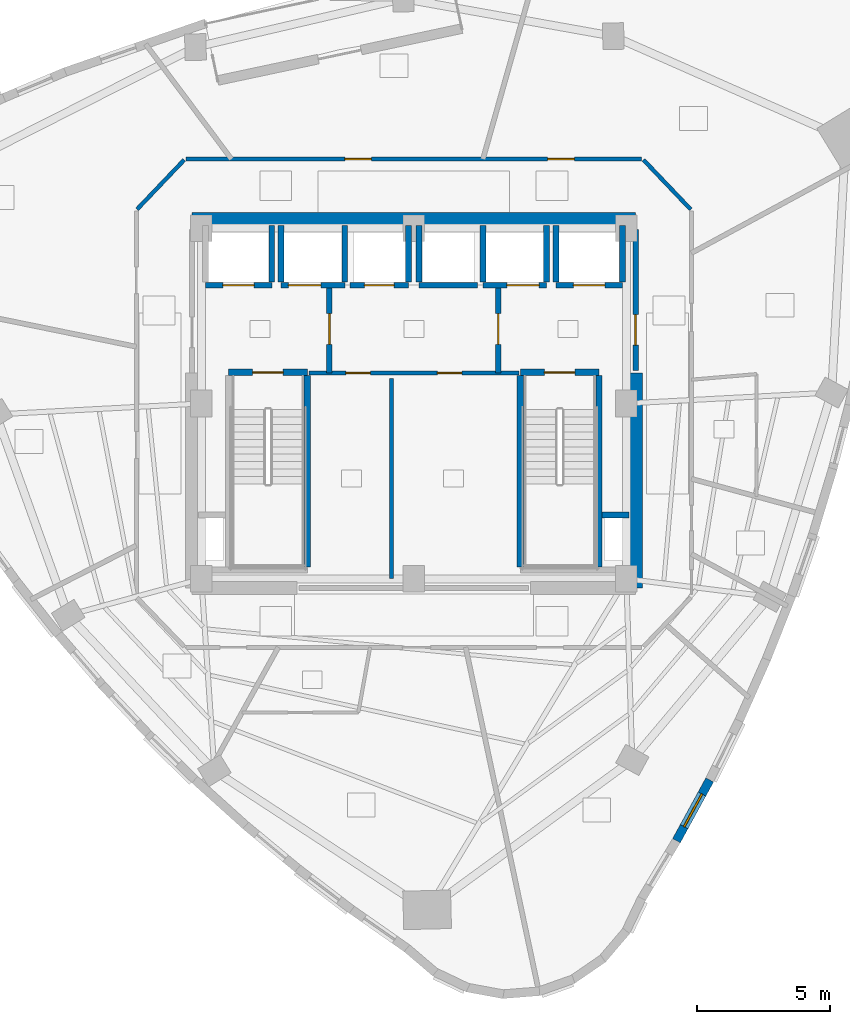
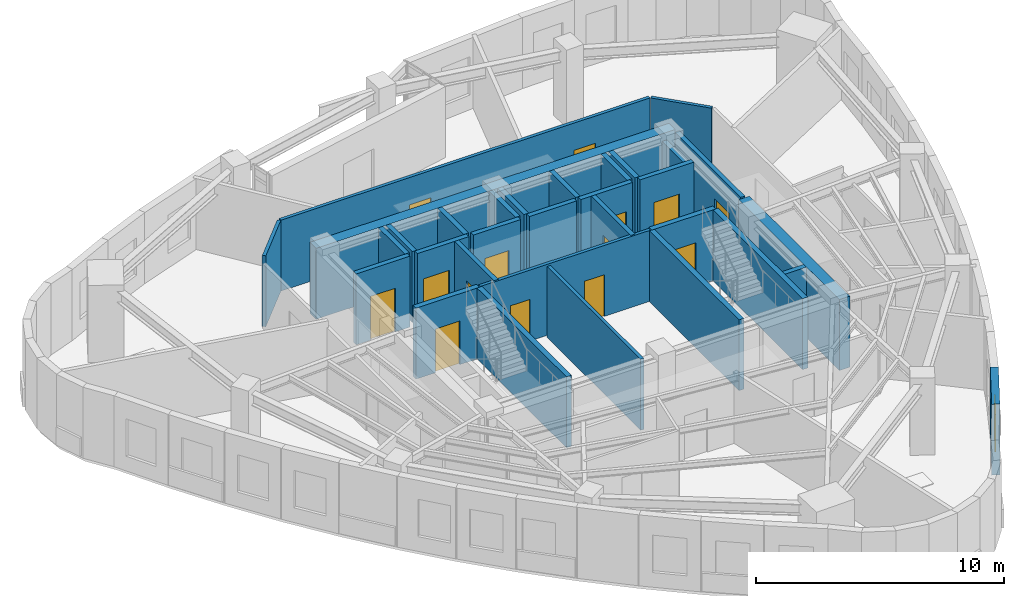
# One storey, part 5 of 10: 32 walls, 14 doors, 1 window, 15 openings.
"""IFC4 building model written with IfcOpenShell, lengths in metres."""

import ifcopenshell
import ifcopenshell.guid

model = None  # the IFC model being written
_history = None  # IfcOwnerHistory: only IFC2X3 demands one
_inside = {}  # id of a spatial element -> (the spatial element, [elements in it])
_under = {}  # id of a project, library or spatial element -> (it, [spatial elements below it])
_declared = {}  # id of a project -> (the project, [libraries it declares])
_typed = {}  # id of a type object -> (the type object, [elements of that type])
_made_of = {}  # id of a material, layer set ... -> (it, [elements and type objects made of it])


def new_model(schema):
    """Start an empty IFC model of exactly this schema.

    Asked for "IFC4X3", IfcOpenShell would pick the latest addendum, in which some entities
    have other attributes; the version numbers below select the first issue.
    IFC2X3 requires an IfcOwnerHistory on every rooted entity: one is made here for all.
    """
    global model, _history
    if schema == "IFC4X3":
        model = ifcopenshell.file(schema_version=(4, 3, 0, 0))
    else:
        model = ifcopenshell.file(schema=schema)
    _inside.clear()
    _under.clear()
    _declared.clear()
    _typed.clear()
    _made_of.clear()
    _history = None
    if model.schema == "IFC2X3":
        org = make("IfcOrganization", Name="unknown")
        user = make(
            "IfcPersonAndOrganization",
            ThePerson=make("IfcPerson", FamilyName="unknown"),
            TheOrganization=org,
        )
        app = make(
            "IfcApplication",
            ApplicationDeveloper=org,
            Version="unknown",
            ApplicationFullName="unknown",
            ApplicationIdentifier="unknown",
        )
        _history = make(
            "IfcOwnerHistory",
            OwningUser=user,
            OwningApplication=app,
            ChangeAction="ADDED",
            CreationDate=0,
        )
    return model


def make(cls, **values):
    """One entity of the class cls with the attributes given. An attribute that is None is left unset."""
    return model.create_entity(
        cls, **{name: value for name, value in values.items() if value is not None}
    )


def rooted(cls, **values):
    """An entity with a GlobalId (a new one), such as an element, a storey or a relation."""
    return make(cls, GlobalId=ifcopenshell.guid.new(), OwnerHistory=_history, **values)


def si_unit(unit_type, name, prefix=None):
    """IfcSIUnit, for example si_unit("LENGTHUNIT", "METRE", prefix="MILLI")."""
    return make("IfcSIUnit", UnitType=unit_type, Prefix=prefix, Name=name)


def assignment(units):
    """IfcUnitAssignment: the units of a project."""
    return None if units is None else make("IfcUnitAssignment", Units=units)


def point(xyz):
    """IfcCartesianPoint."""
    return None if xyz is None else make("IfcCartesianPoint", Coordinates=xyz)


def direction(xyz):
    """IfcDirection."""
    return None if xyz is None else make("IfcDirection", DirectionRatios=xyz)


def frame(location, z_axis=None, x_axis=None):
    """IfcAxis2Placement3D, a coordinate frame: its origin and axes. An axis left out is left unset."""
    return make(
        "IfcAxis2Placement3D",
        Location=point(location),
        Axis=direction(z_axis),
        RefDirection=direction(x_axis),
    )


def frame_2d(location, x_axis=None):
    """IfcAxis2Placement2D, a coordinate frame in the plane: its origin and x axis."""
    return make(
        "IfcAxis2Placement2D", Location=point(location), RefDirection=direction(x_axis)
    )


def origin():
    """The frame at (0, 0, 0) with its axes left unset."""
    return frame((0.0, 0.0, 0.0))


def place(relative_to, where):
    """IfcLocalPlacement: puts the frame where relative to a parent placement (None: the world)."""
    return make(
        "IfcLocalPlacement", PlacementRelTo=relative_to, RelativePlacement=where
    )


def context(
    kind, dimensions, precision=None, world=None, true_north=None, identifier=None
):
    """IfcGeometricRepresentationContext, for example the 3D "Model" context."""
    return make(
        "IfcGeometricRepresentationContext",
        ContextIdentifier=identifier,
        ContextType=kind,
        CoordinateSpaceDimension=dimensions,
        Precision=precision,
        WorldCoordinateSystem=world,
        TrueNorth=true_north,
    )


def subcontext(parent, identifier, kind, view, scale=None):
    """IfcGeometricRepresentationSubContext, for example "Body" below "Model"."""
    return make(
        "IfcGeometricRepresentationSubContext",
        ContextIdentifier=identifier,
        ContextType=kind,
        ParentContext=parent,
        TargetScale=scale,
        TargetView=view,
    )


def project(units=None, contexts=None):
    """IfcProject with its units and contexts."""
    return rooted(
        "IfcProject",
        Name="project",
        RepresentationContexts=contexts,
        UnitsInContext=assignment(units),
    )


def spatial(cls, under=None, at=None, **own):
    """A site, building, storey or space (cls), placed at a placement, below another one or the project."""
    s = rooted(cls, ObjectPlacement=at, **own)
    if under is not None:
        _under.setdefault(under.id(), (under, []))[1].append(s)
    return s


def profile(cls, at=None, kind="AREA", **sizes):
    """A parametric profile (cls). Its sizes go by their IFC names, for example OverallWidth=200.0."""
    return make(cls, ProfileType=kind, Position=at, **sizes)


def rectangle(**sizes):
    """IfcRectangleProfileDef."""
    return profile("IfcRectangleProfileDef", **sizes)


def extrude(swept, where, along, depth):
    """IfcExtrudedAreaSolid: the profile swept, set in the frame where, extruded along a direction by depth."""
    return make(
        "IfcExtrudedAreaSolid",
        SweptArea=swept,
        Position=where,
        ExtrudedDirection=direction(along),
        Depth=depth,
    )


def shape(context_of_items, identifier, shape_type, items):
    """IfcShapeRepresentation: the items that make up one representation, for example the "Body"."""
    return make(
        "IfcShapeRepresentation",
        ContextOfItems=context_of_items,
        RepresentationIdentifier=identifier,
        RepresentationType=shape_type,
        Items=items,
    )


def material(Name=None, Category=None):
    """IfcMaterial."""
    return make("IfcMaterial", Name=Name, Category=Category)


def layer(
    of_material, thickness, ventilated=None, Name=None, Category=None, Priority=None
):
    """IfcMaterialLayer: one layer of a wall or slab, of a material (None: an air gap)."""
    return make(
        "IfcMaterialLayer",
        Material=of_material,
        LayerThickness=thickness,
        IsVentilated=ventilated,
        Name=Name,
        Category=Category,
        Priority=Priority,
    )


def layer_set(layers, Name=None):
    """IfcMaterialLayerSet."""
    return make("IfcMaterialLayerSet", MaterialLayers=layers, LayerSetName=Name)


def made_of(thing, what):
    """Note that an element or type object is made of a material, layer set ...; save() writes the relation."""
    if what is not None:
        _made_of.setdefault(what.id(), (what, []))[1].append(thing)
    return thing


def type_object(cls, material=None, **own):
    """A type object (cls), such as IfcWallType, which elements share."""
    return made_of(rooted(cls, **own), material)


def element(
    cls,
    number,
    at=None,
    inside=None,
    cuts=None,
    type_object=None,
    material=None,
    context=None,
    identifier="Body",
    shape_type=None,
    held_by="IfcProductDefinitionShape",
    body=None,
    shapes=None,
    **own,
):
    """One element of the class cls, such as IfcWall. Its Tag is "e" and its number.

    at: its placement. inside: the storey or other place that contains it. cuts: it is an
    opening in that element (IfcRelVoidsElement). A single representation is given by context,
    identifier, shape_type and body (its items); several are given by shapes. held_by: the class
    of the entity that holds the representations. save() writes the other relations.
    """
    e = rooted(cls, Tag="e%d" % number, ObjectPlacement=at, **own)
    if body is not None:
        shapes = [shape(context, identifier, shape_type, body)]
    if shapes is not None:
        e.Representation = make(held_by, Representations=shapes)
    if inside is not None:
        _inside.setdefault(inside.id(), (inside, []))[1].append(e)
    if cuts is not None:
        rooted(
            "IfcRelVoidsElement", RelatingBuildingElement=cuts, RelatedOpeningElement=e
        )
    if type_object is not None:
        _typed.setdefault(type_object.id(), (type_object, []))[1].append(e)
    return made_of(e, material)


def fill(opening, filler):
    """IfcRelFillsElement: the door or window that sits in an opening."""
    return rooted(
        "IfcRelFillsElement",
        RelatingOpeningElement=opening,
        RelatedBuildingElement=filler,
    )


def aggregate(whole, parts):
    """IfcRelAggregates: a whole, such as a stair, and the parts it consists of."""
    return rooted("IfcRelAggregates", RelatingObject=whole, RelatedObjects=parts)


def save(model, path):
    """Write the relations noted so far, then the file.

    IfcRelAggregates (storeys below a building ...), IfcRelContainedInSpatialStructure (elements
    in a storey), IfcRelDefinesByType, IfcRelAssociatesMaterial and IfcRelDeclares: one each for
    every whole, place, type object, material and project.
    """
    for whole, parts in _under.values():
        aggregate(whole, parts)
    for where, things in _inside.values():
        rooted(
            "IfcRelContainedInSpatialStructure",
            RelatedElements=things,
            RelatingStructure=where,
        )
    for kind, things in _typed.values():
        rooted("IfcRelDefinesByType", RelatedObjects=things, RelatingType=kind)
    for what, things in _made_of.values():
        rooted("IfcRelAssociatesMaterial", RelatedObjects=things, RelatingMaterial=what)
    for by, libraries in _declared.values():
        rooted("IfcRelDeclares", RelatingContext=by, RelatedDefinitions=libraries)
    model.write(path)


model = new_model("IFC4")

# Units and contexts
model_context = context("Model", 3, precision=1e-05, world=origin(), true_north=direction((0.0, 1.0)))
body_context = subcontext(model_context, "Body", "Model", "MODEL_VIEW")
ifc_project = project(units=[si_unit("LENGTHUNIT", "METRE"), si_unit("AREAUNIT", "SQUARE_METRE"), si_unit("VOLUMEUNIT", "CUBIC_METRE"), si_unit("PLANEANGLEUNIT", "RADIAN"), si_unit("MASSUNIT", "GRAM", prefix="KILO")], contexts=[model_context])

# Site, building, storey
site_placement = place(None, origin())
site = spatial("IfcSite", under=ifc_project, at=site_placement, CompositionType="ELEMENT")
building_placement = place(site_placement, origin())
building = spatial("IfcBuilding", under=site, at=building_placement, Name="Ndelora Gate Hotel", CompositionType="ELEMENT")
storey_placement = place(building_placement, frame((0.0, 0.0, 251.14990234375)))
storey = spatial("IfcBuildingStorey", under=building, at=storey_placement, Name="L63", CompositionType="ELEMENT", Elevation=251.14990234375)

# Wall, opening, window
ifc_material_1 = material(Name="Clay Brick Masonry", Category="masonry")
ifc_layer_1 = layer(ifc_material_1, 0.330078125)
ifc_layer_set_1 = layer_set([ifc_layer_1], Name="Clay Brick Masonry")
wall_type_1 = type_object("IfcWallType", Name="WL-BRICK-330", PredefinedType="SOLIDWALL", material=ifc_layer_set_1)
wall_1_placement = place(storey_placement, frame((11.1396484375, -14.173583984375, 0.0), z_axis=(0.0, 0.0, 1.0), x_axis=(-0.480129576196, -0.877197577551, 0.0)))
wall_1 = element("IfcWall", 1, at=wall_1_placement, inside=storey, type_object=wall_type_1, Name="L63 Tower Brick Pier-and-Spandrel Wall TWR-30", PredefinedType="SOLIDWALL", context=body_context, shape_type="SweptSolid", body=[
    extrude(rectangle(XDim=2.610107421875, YDim=0.330078125, at=frame_2d((1.30517578125, 0.0))), origin(), (0.0, 0.0, 1.0), 3.489990234375),
])
opening_1_placement = place(wall_1_placement, frame((0.60498046875, 0.0, 0.719970703125)))
opening_1 = element("IfcOpeningElement", 2, at=opening_1_placement, cuts=wall_1, Name="Opening W02", PredefinedType="OPENING", context=body_context, shape_type="SweptSolid", body=[
    extrude(rectangle(XDim=1.39990234375, YDim=1.840087890625, at=frame_2d((0.699951171875, 0.919921875))), frame((0.0, 0.175048828125, 0.0), z_axis=(0.0, -1.0, 0.0), x_axis=(1.0, 0.0, 0.0)), (0.0, 0.0, 1.0), 0.35009765625),
])
ifc_material_2 = material(Name="Insulated Low-E Double Glazing in Bronze Aluminium Frame", Category="aluminium")
window_type = type_object("IfcWindowType", Name="WN-DEEP-1400", PartitioningType="SINGLE_PANEL", PredefinedType="WINDOW", material=ifc_material_2)
window_placement = place(opening_1_placement, origin())
window = element("IfcWindow", 3, at=window_placement, inside=storey, type_object=window_type, Name="L63 Deep-Set Brick-Pier Window W02", OverallHeight=1.840087890625, OverallWidth=1.39990234375, PartitioningType="SINGLE_PANEL", PredefinedType="WINDOW", context=body_context, shape_type="SweptSolid", body=[
    extrude(rectangle(XDim=1.39990234375, YDim=1.840087890625, at=frame_2d((0.699951171875, 0.919921875))), frame((0.0, 0.030029296875, 0.0), z_axis=(0.0, -1.0, 0.0), x_axis=(1.0, 0.0, 0.0)), (0.0, 0.0, 1.0), 0.06005859375),
])
fill(opening_1, window)

# Walls
ifc_material_3 = material(Name="Concrete C50/60", Category="concrete")
ifc_layer_2 = layer(ifc_material_3, 0.5)
ifc_layer_set_2 = layer_set([ifc_layer_2], Name="Concrete C50/60")
wall_type_2 = type_object("IfcWallType", Name="WL-CORE-500", PredefinedType="SHEAR", material=ifc_layer_set_2)
wall_2_placement = place(storey_placement, frame((-8.35009765625, 6.949951171875, 0.0), z_axis=(0.0, 0.0, 1.0), x_axis=(1.0, 0.0, 0.0)))
element("IfcWall", 4, at=wall_2_placement, inside=storey, type_object=wall_type_2, Name="L63 Core Shear Wall N", PredefinedType="SHEAR", context=body_context, shape_type="SweptSolid", body=[
    extrude(rectangle(XDim=16.7001953125, YDim=0.5, at=frame_2d((8.35009765625, 0.0))), origin(), (0.0, 0.0, 1.0), 3.489990234375),
])
wall_3_placement = place(storey_placement, frame((8.35009765625, -6.949951171875, 0.0), z_axis=(0.0, 0.0, 1.0), x_axis=(0.0, 1.0, 0.0)))
element("IfcWall", 5, at=wall_3_placement, inside=storey, type_object=wall_type_2, Name="L63 Core Shear Wall E", PredefinedType="SHEAR", context=body_context, shape_type="SweptSolid", body=[
    extrude(rectangle(XDim=8.099853515625, YDim=0.5, at=frame_2d((4.0498046875, 0.0))), origin(), (0.0, 0.0, 1.0), 3.489990234375),
])

# Wall, opening, door
ifc_material_4 = material(Name="Concrete C40/50", Category="concrete")
ifc_layer_3 = layer(ifc_material_4, 0.199951171875)
ifc_layer_set_3 = layer_set([ifc_layer_3], Name="Concrete C40/50")
wall_type_3 = type_object("IfcWallType", Name="WL-FIRE-200", PredefinedType="PARTITIONING", material=ifc_layer_set_3)
wall_4_placement = place(storey_placement, frame((-3.179931640625, 1.14990234375, 0.0), z_axis=(0.0, 0.0, 1.0), x_axis=(0.0, 1.0, 0.0)))
wall_4 = element("IfcWall", 6, at=wall_4_placement, inside=storey, type_object=wall_type_3, Name="L63 Interior Wall IW-2", PredefinedType="PARTITIONING", context=body_context, shape_type="SweptSolid", body=[
    extrude(rectangle(XDim=3.300048828125, YDim=0.199951171875, at=frame_2d((1.64990234375, 0.0))), origin(), (0.0, 0.0, 1.0), 3.489990234375),
])
opening_2_placement = place(wall_4_placement, frame((1.080078125, 0.0, 0.0)))
opening_2 = element("IfcOpeningElement", 7, at=opening_2_placement, cuts=wall_4, Name="Opening FD1", PredefinedType="OPENING", context=body_context, shape_type="SweptSolid", body=[
    extrude(rectangle(XDim=1.14990234375, YDim=2.14990234375, at=frame_2d((0.574951171875, 1.074951171875))), frame((0.0, 0.10986328125, 0.0), z_axis=(0.0, -1.0, 0.0), x_axis=(1.0, 0.0, 0.0)), (0.0, 0.0, 1.0), 0.219970703125),
])
ifc_material_5 = material(Name="Fire-Rated Timber-Veneer Steel Core", Category="steel")
door_type_1 = type_object("IfcDoorType", Name="DR-FD60", OperationType="SINGLE_SWING_LEFT", PredefinedType="DOOR", material=ifc_material_5)
door_1_placement = place(opening_2_placement, origin())
door_1 = element("IfcDoor", 8, at=door_1_placement, inside=storey, type_object=door_type_1, Name="L63 Firefighting Lobby West Door", OperationType="SINGLE_SWING_RIGHT", OverallHeight=2.14990234375, OverallWidth=1.14990234375, PredefinedType="DOOR", context=body_context, shape_type="SweptSolid", body=[
    extrude(rectangle(XDim=1.14990234375, YDim=2.14990234375, at=frame_2d((0.574951171875, 1.074951171875))), frame((0.0, 0.02490234375, 0.0), z_axis=(0.0, -1.0, 0.0), x_axis=(1.0, 0.0, 0.0)), (0.0, 0.0, 1.0), 0.050048828125),
])
fill(opening_2, door_1)

wall_5_placement = place(storey_placement, frame((3.179931640625, 1.14990234375, 0.0), z_axis=(0.0, 0.0, 1.0), x_axis=(0.0, 1.0, 0.0)))
wall_5 = element("IfcWall", 9, at=wall_5_placement, inside=storey, type_object=wall_type_3, Name="L63 Interior Wall IW-2", PredefinedType="PARTITIONING", context=body_context, shape_type="SweptSolid", body=[
    extrude(rectangle(XDim=3.300048828125, YDim=0.199951171875, at=frame_2d((1.64990234375, 0.0))), origin(), (0.0, 0.0, 1.0), 3.489990234375),
])
opening_3_placement = place(wall_5_placement, frame((1.080078125, 0.0, 0.0)))
opening_3 = element("IfcOpeningElement", 10, at=opening_3_placement, cuts=wall_5, Name="Opening FD1", PredefinedType="OPENING", context=body_context, shape_type="SweptSolid", body=[
    extrude(rectangle(XDim=1.14990234375, YDim=2.14990234375, at=frame_2d((0.574951171875, 1.074951171875))), frame((0.0, 0.10986328125, 0.0), z_axis=(0.0, -1.0, 0.0), x_axis=(1.0, 0.0, 0.0)), (0.0, 0.0, 1.0), 0.219970703125),
])
door_2_placement = place(opening_3_placement, origin())
door_2 = element("IfcDoor", 11, at=door_2_placement, inside=storey, type_object=door_type_1, Name="L63 Firefighting Lobby East Door", OperationType="SINGLE_SWING_LEFT", OverallHeight=2.14990234375, OverallWidth=1.14990234375, PredefinedType="DOOR", context=body_context, shape_type="SweptSolid", body=[
    extrude(rectangle(XDim=1.14990234375, YDim=2.14990234375, at=frame_2d((0.574951171875, 1.074951171875))), frame((0.0, 0.02490234375, 0.0), z_axis=(0.0, -1.0, 0.0), x_axis=(1.0, 0.0, 0.0)), (0.0, 0.0, 1.0), 0.050048828125),
])
fill(opening_3, door_2)

wall_6_placement = place(storey_placement, frame((8.35009765625, 1.25, 0.0), z_axis=(0.0, 0.0, 1.0), x_axis=(0.0, 1.0, 0.0)))
wall_6 = element("IfcWall", 12, at=wall_6_placement, inside=storey, type_object=wall_type_3, Name="L63 Interior Wall IW-2", PredefinedType="PARTITIONING", context=body_context, shape_type="SweptSolid", body=[
    extrude(rectangle(XDim=5.300048828125, YDim=0.199951171875, at=frame_2d((2.64990234375, 0.0))), origin(), (0.0, 0.0, 1.0), 3.489990234375),
])
opening_4_placement = place(wall_6_placement, frame((0.949951171875, 0.0, 0.0)))
opening_4 = element("IfcOpeningElement", 13, at=opening_4_placement, cuts=wall_6, Name="Opening FD1", PredefinedType="OPENING", context=body_context, shape_type="SweptSolid", body=[
    extrude(rectangle(XDim=1.14990234375, YDim=2.14990234375, at=frame_2d((0.574951171875, 1.074951171875))), frame((0.0, 0.10986328125, 0.0), z_axis=(0.0, -1.0, 0.0), x_axis=(1.0, 0.0, 0.0)), (0.0, 0.0, 1.0), 0.219970703125),
])
door_3_placement = place(opening_4_placement, origin())
door_3 = element("IfcDoor", 14, at=door_3_placement, inside=storey, type_object=door_type_1, Name="L63 Firefighting Lobby East Corridor Door", OperationType="SINGLE_SWING_RIGHT", OverallHeight=2.14990234375, OverallWidth=1.14990234375, PredefinedType="DOOR", context=body_context, shape_type="SweptSolid", body=[
    extrude(rectangle(XDim=1.14990234375, YDim=2.14990234375, at=frame_2d((0.574951171875, 1.074951171875))), frame((0.0, 0.02490234375, 0.0), z_axis=(0.0, -1.0, 0.0), x_axis=(1.0, 0.0, 0.0)), (0.0, 0.0, 1.0), 0.050048828125),
])
fill(opening_4, door_3)

# Wall, openings, doors
ifc_material_6 = material(Name="Fire-Rated Gypsum Stud Partition", Category="gypsum")
ifc_layer_4 = layer(ifc_material_6, 0.14990234375)
ifc_layer_set_4 = layer_set([ifc_layer_4], Name="Fire-Rated Gypsum Stud Partition")
wall_type_4 = type_object("IfcWallType", Name="WL-PART-150", PredefinedType="PARTITIONING", material=ifc_layer_set_4)
wall_7_placement = place(storey_placement, frame((3.949951171875, 1.14990234375, 0.0), z_axis=(0.0, 0.0, 1.0), x_axis=(-1.0, 0.0, 0.0)))
wall_7 = element("IfcWall", 15, at=wall_7_placement, inside=storey, type_object=wall_type_4, Name="L63 Interior Wall IW-5", PredefinedType="PARTITIONING", context=body_context, shape_type="SweptSolid", body=[
    extrude(rectangle(XDim=7.89990234375, YDim=0.14990234375, at=frame_2d((3.949951171875, 0.0))), origin(), (0.0, 0.0, 1.0), 3.489990234375),
])
opening_5_placement = place(wall_7_placement, frame((5.590087890625, 0.0, 0.0)))
opening_5 = element("IfcOpeningElement", 16, at=opening_5_placement, cuts=wall_7, Name="Opening D04", PredefinedType="OPENING", context=body_context, shape_type="SweptSolid", body=[
    extrude(rectangle(XDim=0.919921875, YDim=2.050048828125, at=frame_2d((0.4599609375, 1.02490234375))), frame((0.0, 0.0849609375, 0.0), z_axis=(0.0, -1.0, 0.0), x_axis=(1.0, 0.0, 0.0)), (0.0, 0.0, 1.0), 0.169921875),
])
opening_6_placement = place(wall_7_placement, frame((2.139892578125, 0.0, 0.0)))
opening_6 = element("IfcOpeningElement", 17, at=opening_6_placement, cuts=wall_7, Name="Opening D04", PredefinedType="OPENING", context=body_context, shape_type="SweptSolid", body=[
    extrude(rectangle(XDim=0.919921875, YDim=2.050048828125, at=frame_2d((0.4599609375, 1.02490234375))), frame((0.0, 0.0849609375, 0.0), z_axis=(0.0, -1.0, 0.0), x_axis=(1.0, 0.0, 0.0)), (0.0, 0.0, 1.0), 0.169921875),
])
ifc_material_7 = material(Name="Painted Steel Core Service Door", Category="steel")
door_type_2 = type_object("IfcDoorType", Name="DR-SER-920", OperationType="SINGLE_SWING_LEFT", PredefinedType="DOOR", material=ifc_material_7)
door_4_placement = place(opening_5_placement, origin())
door_4 = element("IfcDoor", 18, at=door_4_placement, inside=storey, type_object=door_type_2, Name="L63 Core Electrical Switchroom Door", OperationType="SINGLE_SWING_LEFT", OverallHeight=2.050048828125, OverallWidth=0.919921875, PredefinedType="DOOR", context=body_context, shape_type="SweptSolid", body=[
    extrude(rectangle(XDim=0.919921875, YDim=2.050048828125, at=frame_2d((0.4599609375, 1.02490234375))), frame((0.0, 0.02490234375, 0.0), z_axis=(0.0, -1.0, 0.0), x_axis=(1.0, 0.0, 0.0)), (0.0, 0.0, 1.0), 0.050048828125),
])
fill(opening_5, door_4)
door_5_placement = place(opening_6_placement, origin())
door_5 = element("IfcDoor", 19, at=door_5_placement, inside=storey, type_object=door_type_2, Name="L63 Central Linen Equipment Store Door", OperationType="SINGLE_SWING_RIGHT", OverallHeight=2.050048828125, OverallWidth=0.919921875, PredefinedType="DOOR", context=body_context, shape_type="SweptSolid", body=[
    extrude(rectangle(XDim=0.919921875, YDim=2.050048828125, at=frame_2d((0.4599609375, 1.02490234375))), frame((0.0, 0.02490234375, 0.0), z_axis=(0.0, -1.0, 0.0), x_axis=(1.0, 0.0, 0.0)), (0.0, 0.0, 1.0), 0.050048828125),
])
fill(opening_6, door_5)

# Walls
wall_8_placement = place(storey_placement, frame((-0.85009765625, -6.580078125, 0.0), z_axis=(0.0, 0.0, 1.0), x_axis=(0.0, 1.0, 0.0)))
element("IfcWall", 20, at=wall_8_placement, inside=storey, type_object=wall_type_4, Name="L63 Interior Wall IW-5", PredefinedType="PARTITIONING", context=body_context, shape_type="SweptSolid", body=[
    extrude(rectangle(XDim=7.530029296875, YDim=0.14990234375, at=frame_2d((3.76513671875, 0.0))), origin(), (0.0, 0.0, 1.0), 3.489990234375),
])
wall_9_placement = place(storey_placement, frame((8.647705078125, 9.1708984375, 0.0), z_axis=(0.0, 0.0, 1.0), x_axis=(0.689960858356, -0.723846678473, 0.0)))
element("IfcWall", 21, at=wall_9_placement, inside=storey, type_object=wall_type_4, Name="L63 Interior Wall IW-5", PredefinedType="PARTITIONING", context=body_context, shape_type="SweptSolid", body=[
    extrude(rectangle(XDim=2.572021484375, YDim=0.14990234375, at=frame_2d((1.2861328125, 0.0))), origin(), (0.0, 0.0, 1.0), 3.489990234375),
])

# Wall, openings, doors
wall_10_placement = place(storey_placement, frame((-8.580078125, 9.199951171875, 0.0), z_axis=(0.0, 0.0, 1.0), x_axis=(1.0, 0.0, 0.0)))
wall_10 = element("IfcWall", 22, at=wall_10_placement, inside=storey, type_object=wall_type_4, Name="L63 Interior Wall IW-5", PredefinedType="PARTITIONING", context=body_context, shape_type="SweptSolid", body=[
    extrude(rectangle(XDim=17.16015625, YDim=0.14990234375, at=frame_2d((8.580078125, 0.0))), origin(), (0.0, 0.0, 1.0), 3.489990234375),
])
opening_7_placement = place(wall_10_placement, frame((5.98046875, 0.0, 0.0)))
opening_7 = element("IfcOpeningElement", 23, at=opening_7_placement, cuts=wall_10, Name="Opening D01", PredefinedType="OPENING", context=body_context, shape_type="SweptSolid", body=[
    extrude(rectangle(XDim=1.0, YDim=2.14990234375, at=frame_2d((0.5, 1.074951171875))), frame((0.0, 0.0849609375, 0.0), z_axis=(0.0, -1.0, 0.0), x_axis=(1.0, 0.0, 0.0)), (0.0, 0.0, 1.0), 0.169921875),
])
opening_8_placement = place(wall_10_placement, frame((13.620361328125, 0.0, 0.0)))
opening_8 = element("IfcOpeningElement", 24, at=opening_8_placement, cuts=wall_10, Name="Opening D01", PredefinedType="OPENING", context=body_context, shape_type="SweptSolid", body=[
    extrude(rectangle(XDim=1.0, YDim=2.14990234375, at=frame_2d((0.5, 1.074951171875))), frame((0.0, 0.0849609375, 0.0), z_axis=(0.0, -1.0, 0.0), x_axis=(1.0, 0.0, 0.0)), (0.0, 0.0, 1.0), 0.169921875),
])
ifc_material_8 = material(Name="Acoustic Hardwood Guest Entrance Door", Category="wood")
door_type_3 = type_object("IfcDoorType", Name="DR-COR-1000", OperationType="SINGLE_SWING_LEFT", PredefinedType="DOOR", material=ifc_material_8)
door_6_placement = place(opening_7_placement, origin())
door_6 = element("IfcDoor", 25, at=door_6_placement, inside=storey, type_object=door_type_3, Name="L63 Sky Garden Tea Dining Room Entrance Door", OperationType="SINGLE_SWING_LEFT", OverallHeight=2.14990234375, OverallWidth=1.0, PredefinedType="DOOR", context=body_context, shape_type="SweptSolid", body=[
    extrude(rectangle(XDim=1.0, YDim=2.14990234375, at=frame_2d((0.5, 1.074951171875))), frame((0.0, 0.02490234375, 0.0), z_axis=(0.0, -1.0, 0.0), x_axis=(1.0, 0.0, 0.0)), (0.0, 0.0, 1.0), 0.050048828125),
])
fill(opening_7, door_6)
door_7_placement = place(opening_8_placement, origin())
door_7 = element("IfcDoor", 26, at=door_7_placement, inside=storey, type_object=door_type_3, Name="L63 State Banquet Dining Room Entrance Door", OperationType="SINGLE_SWING_LEFT", OverallHeight=2.14990234375, OverallWidth=1.0, PredefinedType="DOOR", context=body_context, shape_type="SweptSolid", body=[
    extrude(rectangle(XDim=1.0, YDim=2.14990234375, at=frame_2d((0.5, 1.074951171875))), frame((0.0, 0.02490234375, 0.0), z_axis=(0.0, -1.0, 0.0), x_axis=(1.0, 0.0, 0.0)), (0.0, 0.0, 1.0), 0.050048828125),
])
fill(opening_8, door_7)

# Walls
wall_11_placement = place(storey_placement, frame((-10.42236328125, 7.30908203125, 0.0), z_axis=(0.0, 0.0, 1.0), x_axis=(0.689960858356, 0.723846678473, 0.0)))
element("IfcWall", 27, at=wall_11_placement, inside=storey, type_object=wall_type_4, Name="L63 Interior Wall IW-5", PredefinedType="PARTITIONING", context=body_context, shape_type="SweptSolid", body=[
    extrude(rectangle(XDim=2.572021484375, YDim=0.14990234375, at=frame_2d((1.2861328125, 0.0))), origin(), (0.0, 0.0, 1.0), 3.489990234375),
])
ifc_layer_5 = layer(ifc_material_4, 0.219970703125)
ifc_layer_set_5 = layer_set([ifc_layer_5], Name="Concrete C40/50")
wall_type_5 = type_object("IfcWallType", Name="WL-SHAFT-220", PredefinedType="PARTITIONING", material=ifc_layer_set_5)
wall_12_placement = place(storey_placement, frame((7.090087890625, -4.199951171875, 0.0), z_axis=(0.0, 0.0, 1.0), x_axis=(1.0, 0.0, 0.0)))
element("IfcWall", 28, at=wall_12_placement, inside=storey, type_object=wall_type_5, Name="L63 Interior Wall IW-1", PredefinedType="PARTITIONING", context=body_context, shape_type="SweptSolid", body=[
    extrude(rectangle(XDim=1.010009765625, YDim=0.219970703125, at=frame_2d((0.5048828125, 0.0))), origin(), (0.0, 0.0, 1.0), 3.489990234375),
])

# Wall, opening, door
wall_13_placement = place(storey_placement, frame((-7.85009765625, 4.449951171875, 0.0), z_axis=(0.0, 0.0, 1.0), x_axis=(1.0, 0.0, 0.0)))
wall_13 = element("IfcWall", 29, at=wall_13_placement, inside=storey, type_object=wall_type_5, Name="L63 Interior Wall IW-1", PredefinedType="PARTITIONING", context=body_context, shape_type="SweptSolid", body=[
    extrude(rectangle(XDim=2.5, YDim=0.219970703125, at=frame_2d((1.25, 0.0))), origin(), (0.0, 0.0, 1.0), 3.489990234375),
])
opening_9_placement = place(wall_13_placement, frame((0.659912109375, 0.0, 0.0)))
opening_9 = element("IfcOpeningElement", 30, at=opening_9_placement, cuts=wall_13, Name="Opening LD5", PredefinedType="OPENING", context=body_context, shape_type="SweptSolid", body=[
    extrude(rectangle(XDim=1.179931640625, YDim=2.14990234375, at=frame_2d((0.58984375, 1.074951171875))), frame((0.0, 0.1201171875, 0.0), z_axis=(0.0, -1.0, 0.0), x_axis=(1.0, 0.0, 0.0)), (0.0, 0.0, 1.0), 0.239990234375),
])
ifc_material_9 = material(Name="Firefighting Lift Stainless Sliding Landing Door", Category="metal")
door_type_4 = type_object("IfcDoorType", Name="DR-LD5", OperationType="DOUBLE_DOOR_SLIDING", PredefinedType="DOOR", material=ifc_material_9)
door_8_placement = place(opening_9_placement, origin())
door_8 = element("IfcDoor", 31, at=door_8_placement, inside=storey, type_object=door_type_4, Name="L63 Lift Landing Sliding Door FFL1", OperationType="DOUBLE_DOOR_SLIDING", OverallHeight=2.14990234375, OverallWidth=1.179931640625, PredefinedType="DOOR", context=body_context, shape_type="SweptSolid", body=[
    extrude(rectangle(XDim=1.179931640625, YDim=2.14990234375, at=frame_2d((0.58984375, 1.074951171875))), frame((0.0, 0.02490234375, 0.0), z_axis=(0.0, -1.0, 0.0), x_axis=(1.0, 0.0, 0.0)), (0.0, 0.0, 1.0), 0.050048828125),
])
fill(opening_9, door_8)

# Wall
wall_14_placement = place(storey_placement, frame((-5.35009765625, 4.570068359375, 0.0), z_axis=(0.0, 0.0, 1.0), x_axis=(0.0, 1.0, 0.0)))
element("IfcWall", 32, at=wall_14_placement, inside=storey, type_object=wall_type_5, Name="L63 Interior Wall IW-1", PredefinedType="PARTITIONING", context=body_context, shape_type="SweptSolid", body=[
    extrude(rectangle(XDim=2.1298828125, YDim=0.219970703125, at=frame_2d((1.06494140625, 0.0))), origin(), (0.0, 0.0, 1.0), 3.489990234375),
])

# Wall, opening, door
wall_15_placement = place(storey_placement, frame((5.35009765625, 4.449951171875, 0.0), z_axis=(0.0, 0.0, 1.0), x_axis=(1.0, 0.0, 0.0)))
wall_15 = element("IfcWall", 33, at=wall_15_placement, inside=storey, type_object=wall_type_5, Name="L63 Interior Wall IW-1", PredefinedType="PARTITIONING", context=body_context, shape_type="SweptSolid", body=[
    extrude(rectangle(XDim=2.5, YDim=0.219970703125, at=frame_2d((1.25, 0.0))), origin(), (0.0, 0.0, 1.0), 3.489990234375),
])
opening_10_placement = place(wall_15_placement, frame((0.659912109375, 0.0, 0.0)))
opening_10 = element("IfcOpeningElement", 34, at=opening_10_placement, cuts=wall_15, Name="Opening LD5", PredefinedType="OPENING", context=body_context, shape_type="SweptSolid", body=[
    extrude(rectangle(XDim=1.179931640625, YDim=2.14990234375, at=frame_2d((0.58984375, 1.074951171875))), frame((0.0, 0.1201171875, 0.0), z_axis=(0.0, -1.0, 0.0), x_axis=(1.0, 0.0, 0.0)), (0.0, 0.0, 1.0), 0.239990234375),
])
door_9_placement = place(opening_10_placement, origin())
door_9 = element("IfcDoor", 35, at=door_9_placement, inside=storey, type_object=door_type_4, Name="L63 Lift Landing Sliding Door FFL2", OperationType="DOUBLE_DOOR_SLIDING", OverallHeight=2.14990234375, OverallWidth=1.179931640625, PredefinedType="DOOR", context=body_context, shape_type="SweptSolid", body=[
    extrude(rectangle(XDim=1.179931640625, YDim=2.14990234375, at=frame_2d((0.58984375, 1.074951171875))), frame((0.0, 0.02490234375, 0.0), z_axis=(0.0, -1.0, 0.0), x_axis=(1.0, 0.0, 0.0)), (0.0, 0.0, 1.0), 0.050048828125),
])
fill(opening_10, door_9)

# Walls
wall_16_placement = place(storey_placement, frame((5.35009765625, 4.570068359375, 0.0), z_axis=(0.0, 0.0, 1.0), x_axis=(0.0, 1.0, 0.0)))
element("IfcWall", 36, at=wall_16_placement, inside=storey, type_object=wall_type_5, Name="L63 Interior Wall IW-1", PredefinedType="PARTITIONING", context=body_context, shape_type="SweptSolid", body=[
    extrude(rectangle(XDim=2.1298828125, YDim=0.219970703125, at=frame_2d((1.06494140625, 0.0))), origin(), (0.0, 0.0, 1.0), 3.489990234375),
])
wall_17_placement = place(storey_placement, frame((7.85009765625, 4.570068359375, 0.0), z_axis=(0.0, 0.0, 1.0), x_axis=(0.0, 1.0, 0.0)))
element("IfcWall", 37, at=wall_17_placement, inside=storey, type_object=wall_type_5, Name="L63 Interior Wall IW-1", PredefinedType="PARTITIONING", context=body_context, shape_type="SweptSolid", body=[
    extrude(rectangle(XDim=2.1298828125, YDim=0.219970703125, at=frame_2d((1.06494140625, 0.0))), origin(), (0.0, 0.0, 1.0), 3.1201171875),
])

# Wall, opening, door
wall_18_placement = place(storey_placement, frame((-5.0, 4.449951171875, 0.0), z_axis=(0.0, 0.0, 1.0), x_axis=(1.0, 0.0, 0.0)))
wall_18 = element("IfcWall", 38, at=wall_18_placement, inside=storey, type_object=wall_type_5, Name="L63 Interior Wall IW-1", PredefinedType="PARTITIONING", context=body_context, shape_type="SweptSolid", body=[
    extrude(rectangle(XDim=2.39990234375, YDim=0.219970703125, at=frame_2d((1.199951171875, 0.0))), origin(), (0.0, 0.0, 1.0), 3.489990234375),
])
opening_11_placement = place(wall_18_placement, frame((0.280029296875, 0.0, 0.0)))
opening_11 = element("IfcOpeningElement", 39, at=opening_11_placement, cuts=wall_18, Name="Opening LD6", PredefinedType="OPENING", context=body_context, shape_type="SweptSolid", body=[
    extrude(rectangle(XDim=1.219970703125, YDim=2.14990234375, at=frame_2d((0.60986328125, 1.074951171875))), frame((0.0, 0.1201171875, 0.0), z_axis=(0.0, -1.0, 0.0), x_axis=(1.0, 0.0, 0.0)), (0.0, 0.0, 1.0), 0.239990234375),
])
ifc_material_10 = material(Name="Heavy-Duty Service Lift Sliding Landing Door", Category="wood")
door_type_5 = type_object("IfcDoorType", Name="DR-LD6", OperationType="DOUBLE_DOOR_SLIDING", PredefinedType="DOOR", material=ifc_material_10)
door_10_placement = place(opening_11_placement, origin())
door_10 = element("IfcDoor", 40, at=door_10_placement, inside=storey, type_object=door_type_5, Name="L63 Lift Landing Sliding Door SVL1", OperationType="DOUBLE_DOOR_SLIDING", OverallHeight=2.14990234375, OverallWidth=1.219970703125, PredefinedType="DOOR", context=body_context, shape_type="SweptSolid", body=[
    extrude(rectangle(XDim=1.219970703125, YDim=2.14990234375, at=frame_2d((0.60986328125, 1.074951171875))), frame((0.0, 0.02490234375, 0.0), z_axis=(0.0, -1.0, 0.0), x_axis=(1.0, 0.0, 0.0)), (0.0, 0.0, 1.0), 0.050048828125),
])
fill(opening_11, door_10)

# Walls
for number, where, z_axis, x_axis, name in (
    (41, (-5.0, 4.570068359375, 0.0), (0.0, 0.0, 1.0), (0.0, 1.0, 0.0), "L63 Interior Wall IW-1"),
    (42, (-2.60009765625, 4.570068359375, 0.0), (0.0, 0.0, 1.0), (0.0, 1.0, 0.0), "L63 Interior Wall IW-1"),
):
    element("IfcWall", number, at=place(storey_placement, frame(where, z_axis=z_axis, x_axis=x_axis)), inside=storey, type_object=wall_type_5, Name=name, PredefinedType="PARTITIONING", context=body_context, shape_type="SweptSolid", body=[
        extrude(rectangle(XDim=2.1298828125, YDim=0.219970703125, at=frame_2d((1.06494140625, 0.0))), origin(), (0.0, 0.0, 1.0), 3.489990234375),
    ])

# Wall, opening, door
wall_19_placement = place(storey_placement, frame((2.60009765625, 4.449951171875, 0.0), z_axis=(0.0, 0.0, 1.0), x_axis=(1.0, 0.0, 0.0)))
wall_19 = element("IfcWall", 43, at=wall_19_placement, inside=storey, type_object=wall_type_5, Name="L63 Interior Wall IW-1", PredefinedType="PARTITIONING", context=body_context, shape_type="SweptSolid", body=[
    extrude(rectangle(XDim=2.39990234375, YDim=0.219970703125, at=frame_2d((1.199951171875, 0.0))), origin(), (0.0, 0.0, 1.0), 3.489990234375),
])
opening_12_placement = place(wall_19_placement, frame((0.89990234375, 0.0, 0.0)))
opening_12 = element("IfcOpeningElement", 44, at=opening_12_placement, cuts=wall_19, Name="Opening LD6", PredefinedType="OPENING", context=body_context, shape_type="SweptSolid", body=[
    extrude(rectangle(XDim=1.219970703125, YDim=2.14990234375, at=frame_2d((0.60986328125, 1.074951171875))), frame((0.0, 0.1201171875, 0.0), z_axis=(0.0, -1.0, 0.0), x_axis=(1.0, 0.0, 0.0)), (0.0, 0.0, 1.0), 0.239990234375),
])
door_11_placement = place(opening_12_placement, origin())
door_11 = element("IfcDoor", 45, at=door_11_placement, inside=storey, type_object=door_type_5, Name="L63 Lift Landing Sliding Door SVL2", OperationType="DOUBLE_DOOR_SLIDING", OverallHeight=2.14990234375, OverallWidth=1.219970703125, PredefinedType="DOOR", context=body_context, shape_type="SweptSolid", body=[
    extrude(rectangle(XDim=1.219970703125, YDim=2.14990234375, at=frame_2d((0.60986328125, 1.074951171875))), frame((0.0, 0.02490234375, 0.0), z_axis=(0.0, -1.0, 0.0), x_axis=(1.0, 0.0, 0.0)), (0.0, 0.0, 1.0), 0.050048828125),
])
fill(opening_12, door_11)

# Walls
for number, where, z_axis, x_axis, name in (
    (46, (2.60009765625, 4.570068359375, 0.0), (0.0, 0.0, 1.0), (0.0, 1.0, 0.0), "L63 Interior Wall IW-1"),
    (47, (5.0, 4.570068359375, 0.0), (0.0, 0.0, 1.0), (0.0, 1.0, 0.0), "L63 Interior Wall IW-1"),
):
    element("IfcWall", number, at=place(storey_placement, frame(where, z_axis=z_axis, x_axis=x_axis)), inside=storey, type_object=wall_type_5, Name=name, PredefinedType="PARTITIONING", context=body_context, shape_type="SweptSolid", body=[
        extrude(rectangle(XDim=2.1298828125, YDim=0.219970703125, at=frame_2d((1.06494140625, 0.0))), origin(), (0.0, 0.0, 1.0), 3.489990234375),
    ])

# Wall, opening, door
wall_20_placement = place(storey_placement, frame((-2.39990234375, 4.449951171875, 0.0), z_axis=(0.0, 0.0, 1.0), x_axis=(1.0, 0.0, 0.0)))
wall_20 = element("IfcWall", 48, at=wall_20_placement, inside=storey, type_object=wall_type_5, Name="L63 Interior Wall IW-1", PredefinedType="PARTITIONING", context=body_context, shape_type="SweptSolid", body=[
    extrude(rectangle(XDim=2.199951171875, YDim=0.219970703125, at=frame_2d((1.10009765625, 0.0))), origin(), (0.0, 0.0, 1.0), 3.489990234375),
])
opening_13_placement = place(wall_20_placement, frame((0.5400390625, 0.0, 0.0)))
opening_13 = element("IfcOpeningElement", 49, at=opening_13_placement, cuts=wall_20, Name="Opening LD3", PredefinedType="OPENING", context=body_context, shape_type="SweptSolid", body=[
    extrude(rectangle(XDim=1.1201171875, YDim=2.14990234375, at=frame_2d((0.56005859375, 1.074951171875))), frame((0.0, 0.1201171875, 0.0), z_axis=(0.0, -1.0, 0.0), x_axis=(1.0, 0.0, 0.0)), (0.0, 0.0, 1.0), 0.239990234375),
])
ifc_material_11 = material(Name="Brushed Bronze Stainless Lift Landing Door", Category="metal")
door_type_6 = type_object("IfcDoorType", Name="DR-LD3", OperationType="DOUBLE_DOOR_SLIDING", PredefinedType="DOOR", material=ifc_material_11)
door_12_placement = place(opening_13_placement, origin())
door_12 = element("IfcDoor", 50, at=door_12_placement, inside=storey, type_object=door_type_6, Name="L63 Lift Landing Sliding Door P3A", OperationType="DOUBLE_DOOR_SLIDING", OverallHeight=2.14990234375, OverallWidth=1.1201171875, PredefinedType="DOOR", context=body_context, shape_type="SweptSolid", body=[
    extrude(rectangle(XDim=1.1201171875, YDim=2.14990234375, at=frame_2d((0.56005859375, 1.074951171875))), frame((0.0, 0.02490234375, 0.0), z_axis=(0.0, -1.0, 0.0), x_axis=(1.0, 0.0, 0.0)), (0.0, 0.0, 1.0), 0.050048828125),
])
fill(opening_13, door_12)

# Walls
wall_21_placement = place(storey_placement, frame((-0.199951171875, 4.570068359375, 0.0), z_axis=(0.0, 0.0, 1.0), x_axis=(0.0, 1.0, 0.0)))
element("IfcWall", 51, at=wall_21_placement, inside=storey, type_object=wall_type_5, Name="L63 Interior Wall IW-1", PredefinedType="PARTITIONING", context=body_context, shape_type="SweptSolid", body=[
    extrude(rectangle(XDim=2.1298828125, YDim=0.219970703125, at=frame_2d((1.06494140625, 0.0))), origin(), (0.0, 0.0, 1.0), 3.489990234375),
])
wall_22_placement = place(storey_placement, frame((0.199951171875, 4.449951171875, 0.0), z_axis=(0.0, 0.0, 1.0), x_axis=(1.0, 0.0, 0.0)))
element("IfcWall", 52, at=wall_22_placement, inside=storey, type_object=wall_type_5, Name="L63 Interior Wall IW-1", PredefinedType="PARTITIONING", context=body_context, shape_type="SweptSolid", body=[
    extrude(rectangle(XDim=2.199951171875, YDim=0.219970703125, at=frame_2d((1.10009765625, 0.0))), origin(), (0.0, 0.0, 1.0), 3.489990234375),
])
wall_23_placement = place(storey_placement, frame((0.199951171875, 4.570068359375, 0.0), z_axis=(0.0, 0.0, 1.0), x_axis=(0.0, 1.0, 0.0)))
element("IfcWall", 53, at=wall_23_placement, inside=storey, type_object=wall_type_5, Name="L63 Interior Wall IW-1", PredefinedType="PARTITIONING", context=body_context, shape_type="SweptSolid", body=[
    extrude(rectangle(XDim=2.1298828125, YDim=0.219970703125, at=frame_2d((1.06494140625, 0.0))), origin(), (0.0, 0.0, 1.0), 3.489990234375),
])
ifc_layer_6 = layer(ifc_material_3, 0.239990234375)
ifc_layer_set_6 = layer_set([ifc_layer_6], Name="Concrete C50/60")
wall_type_6 = type_object("IfcWallType", Name="WL-STAIR-240", PredefinedType="SHEAR", material=ifc_layer_set_6)
wall_24_placement = place(storey_placement, frame((-4.010009765625, -6.159912109375, 0.0), z_axis=(0.0, 0.0, 1.0), x_axis=(0.0, 1.0, 0.0)))
element("IfcWall", 54, at=wall_24_placement, inside=storey, type_object=wall_type_6, Name="L63 Stair Core Shear Wall SW-ST", PredefinedType="SHEAR", context=body_context, shape_type="SweptSolid", body=[
    extrude(rectangle(XDim=7.219970703125, YDim=0.239990234375, at=frame_2d((3.60986328125, 0.0))), origin(), (0.0, 0.0, 1.0), 3.489990234375),
])

# Wall, opening, door
wall_25_placement = place(storey_placement, frame((-6.969970703125, 1.169921875, 0.0), z_axis=(0.0, 0.0, 1.0), x_axis=(1.0, 0.0, 0.0)))
wall_25 = element("IfcWall", 55, at=wall_25_placement, inside=storey, type_object=wall_type_6, Name="L63 Stair Core Shear Wall SW-ST", PredefinedType="SHEAR", context=body_context, shape_type="SweptSolid", body=[
    extrude(rectangle(XDim=2.9599609375, YDim=0.239990234375, at=frame_2d((1.47998046875, 0.0))), origin(), (0.0, 0.0, 1.0), 3.489990234375),
])
opening_14_placement = place(wall_25_placement, frame((0.89990234375, 0.0, 0.0)))
opening_14 = element("IfcOpeningElement", 56, at=opening_14_placement, cuts=wall_25, Name="Opening FD1", PredefinedType="OPENING", context=body_context, shape_type="SweptSolid", body=[
    extrude(rectangle(XDim=1.14990234375, YDim=2.14990234375, at=frame_2d((0.574951171875, 1.074951171875))), frame((0.0, 0.1298828125, 0.0), z_axis=(0.0, -1.0, 0.0), x_axis=(1.0, 0.0, 0.0)), (0.0, 0.0, 1.0), 0.260009765625),
])
door_13_placement = place(opening_14_placement, origin())
door_13 = element("IfcDoor", 57, at=door_13_placement, inside=storey, type_object=door_type_1, Name="L63 Exit Stair ST4 Door", OperationType="SINGLE_SWING_LEFT", OverallHeight=2.14990234375, OverallWidth=1.14990234375, PredefinedType="DOOR", context=body_context, shape_type="SweptSolid", body=[
    extrude(rectangle(XDim=1.14990234375, YDim=2.14990234375, at=frame_2d((0.574951171875, 1.074951171875))), frame((0.0, 0.02490234375, 0.0), z_axis=(0.0, -1.0, 0.0), x_axis=(1.0, 0.0, 0.0)), (0.0, 0.0, 1.0), 0.050048828125),
])
fill(opening_14, door_13)

# Walls
for number, where, z_axis, x_axis, name in (
    (58, (4.010009765625, -6.159912109375, 0.0), (0.0, 0.0, 1.0), (0.0, 1.0, 0.0), "L63 Stair Core Shear Wall SW-ST"),
    (59, (6.969970703125, -6.159912109375, 0.0), (0.0, 0.0, 1.0), (0.0, 1.0, 0.0), "L63 Stair Core Shear Wall SW-ST"),
):
    element("IfcWall", number, at=place(storey_placement, frame(where, z_axis=z_axis, x_axis=x_axis)), inside=storey, type_object=wall_type_6, Name=name, PredefinedType="SHEAR", context=body_context, shape_type="SweptSolid", body=[
        extrude(rectangle(XDim=7.219970703125, YDim=0.239990234375, at=frame_2d((3.60986328125, 0.0))), origin(), (0.0, 0.0, 1.0), 3.489990234375),
    ])

# Wall, opening, door
wall_26_placement = place(storey_placement, frame((4.010009765625, 1.169921875, 0.0), z_axis=(0.0, 0.0, 1.0), x_axis=(1.0, 0.0, 0.0)))
wall_26 = element("IfcWall", 60, at=wall_26_placement, inside=storey, type_object=wall_type_6, Name="L63 Stair Core Shear Wall SW-ST", PredefinedType="SHEAR", context=body_context, shape_type="SweptSolid", body=[
    extrude(rectangle(XDim=2.9599609375, YDim=0.239990234375, at=frame_2d((1.47998046875, 0.0))), origin(), (0.0, 0.0, 1.0), 3.489990234375),
])
opening_15_placement = place(wall_26_placement, frame((0.89990234375, 0.0, 0.0)))
opening_15 = element("IfcOpeningElement", 61, at=opening_15_placement, cuts=wall_26, Name="Opening FD1", PredefinedType="OPENING", context=body_context, shape_type="SweptSolid", body=[
    extrude(rectangle(XDim=1.14990234375, YDim=2.14990234375, at=frame_2d((0.574951171875, 1.074951171875))), frame((0.0, 0.1298828125, 0.0), z_axis=(0.0, -1.0, 0.0), x_axis=(1.0, 0.0, 0.0)), (0.0, 0.0, 1.0), 0.260009765625),
])
door_14_placement = place(opening_15_placement, origin())
door_14 = element("IfcDoor", 62, at=door_14_placement, inside=storey, type_object=door_type_1, Name="L63 Exit Stair ST5 Door", OperationType="SINGLE_SWING_RIGHT", OverallHeight=2.14990234375, OverallWidth=1.14990234375, PredefinedType="DOOR", context=body_context, shape_type="SweptSolid", body=[
    extrude(rectangle(XDim=1.14990234375, YDim=2.14990234375, at=frame_2d((0.574951171875, 1.074951171875))), frame((0.0, 0.02490234375, 0.0), z_axis=(0.0, -1.0, 0.0), x_axis=(1.0, 0.0, 0.0)), (0.0, 0.0, 1.0), 0.050048828125),
])
fill(opening_15, door_14)

save(model, "model.ifc")
